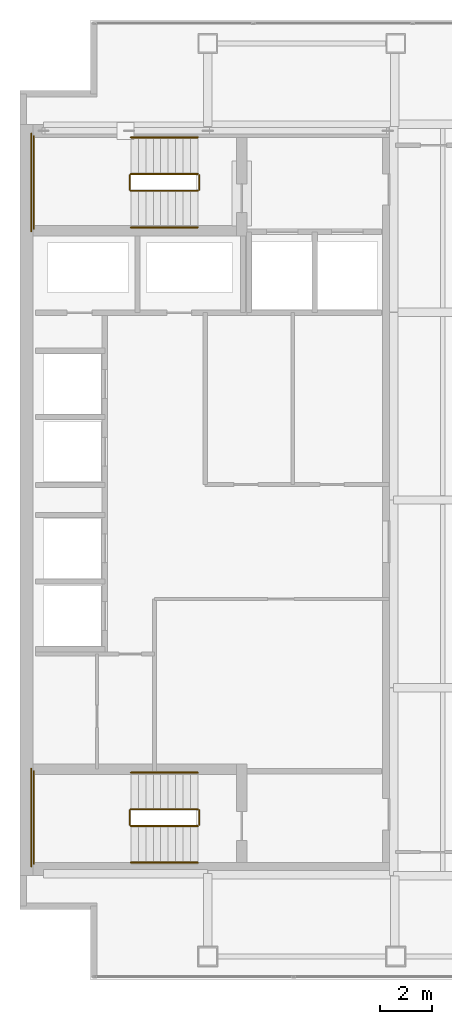
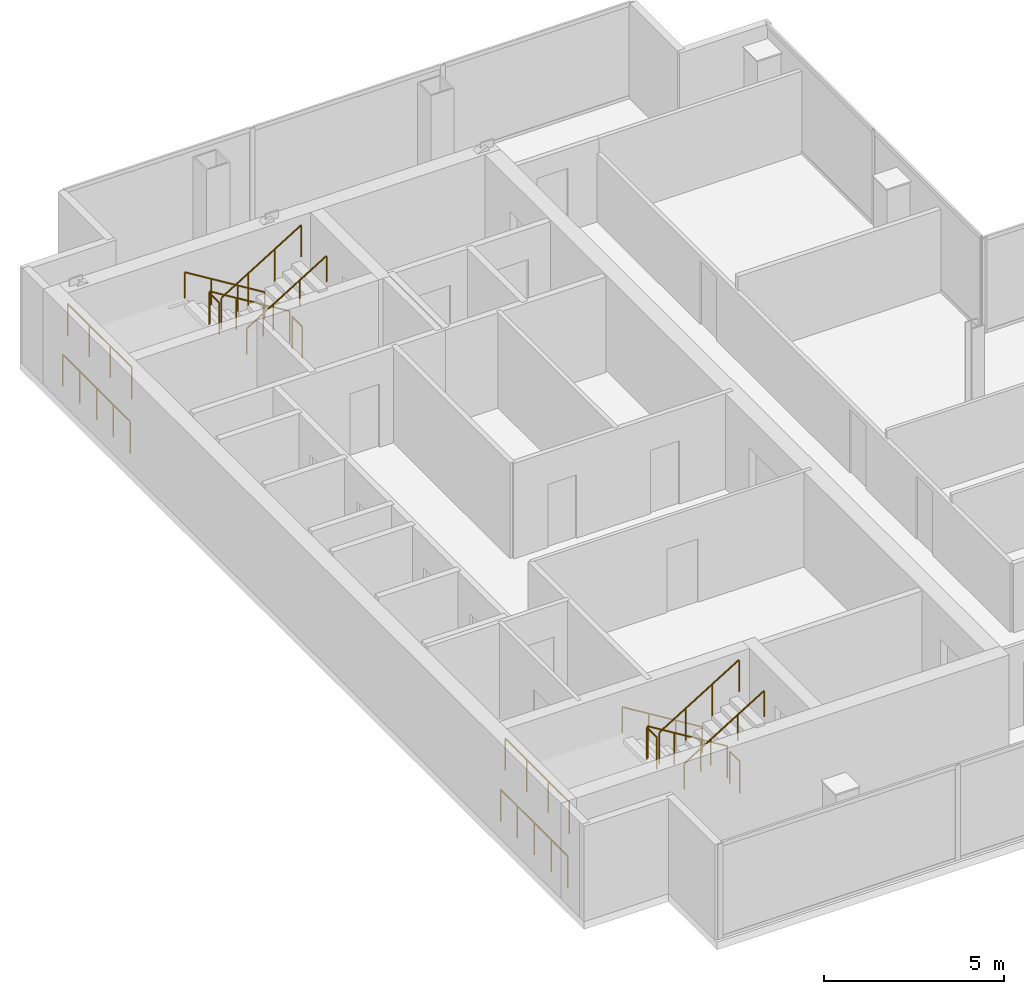
# One storey, part 23 of 23: 16 railings.
"""IFC4 building model written with IfcOpenShell, lengths in metres."""

from ifc_helpers import new_model, si_unit, direction, frame, origin, origin_2d, place, context, subcontext, project, spatial, circle, extrude, material, type_object, element, save


model = new_model("IFC4")

# Units and contexts
model_context = context("Model", 3, precision=1e-05, world=origin(), true_north=direction((0.0, 1.0)))
body_context = subcontext(model_context, "Body", "Model", "MODEL_VIEW")
ifc_project = project(units=[si_unit("LENGTHUNIT", "METRE"), si_unit("AREAUNIT", "SQUARE_METRE"), si_unit("VOLUMEUNIT", "CUBIC_METRE"), si_unit("PLANEANGLEUNIT", "RADIAN"), si_unit("MASSUNIT", "GRAM", prefix="KILO")], contexts=[model_context])

# Site, building, storey
site_placement = place(None, origin())
site = spatial("IfcSite", under=ifc_project, at=site_placement, CompositionType="ELEMENT")
building_placement = place(site_placement, origin())
building = spatial("IfcBuilding", under=site, at=building_placement, Name="Cobrela Telecom Tower", CompositionType="ELEMENT")
storey_placement = place(building_placement, frame((0.0, 0.0, 229.25)))
storey = spatial("IfcBuildingStorey", under=building, at=storey_placement, Name="L59", CompositionType="ELEMENT", Elevation=229.25)

# Railings
ifc_material = material(Name="Steel ASTM A36", Category="steel")
railing_type_1 = type_object("IfcRailingType", Name="RAIL-GUARD-1100", PredefinedType="GUARDRAIL", material=ifc_material)
railing_1_placement = place(storey_placement, frame((6.820068359375, 34.10009765625, 0.175048828125)))
element("IfcRailing", 1, at=railing_1_placement, inside=storey, type_object=railing_type_1, Name="L59 ST1 stair guard 1", PredefinedType="GUARDRAIL", context=body_context, shape_type="SweptSolid", body=[
    extrude(circle(Radius=0.02392578125, at=origin_2d()), frame((0.0, 0.0, 1.076171875), z_axis=(-0.852195335862, 0.0, 0.523223766217), x_axis=(0.0, -1.0, 0.0)), (0.0, 0.0, 1.0), 3.010009765625),
    extrude(circle(Radius=0.02099609375, at=origin_2d()), origin(), (0.0, 0.0, 1.0), 1.052001953125),
    extrude(circle(Radius=0.02099609375, at=origin_2d()), frame((-0.85498046875, 0.0, 0.52490234375)), (0.0, 0.0, 1.0), 1.052001953125),
    extrude(circle(Radius=0.02099609375, at=origin_2d()), frame((-1.710205078125, 0.0, 1.050048828125)), (0.0, 0.0, 1.0), 1.052001953125),
    extrude(circle(Radius=0.02099609375, at=origin_2d()), frame((-2.565185546875, 0.0, 1.574951171875)), (0.0, 0.0, 1.0), 1.052001953125),
])
railing_2_placement = place(storey_placement, frame((4.205078125, 34.050048828125, 1.75)))
element("IfcRailing", 2, at=railing_2_placement, inside=storey, type_object=railing_type_1, Name="L59 ST1 stair guard 2", PredefinedType="GUARDRAIL", context=body_context, shape_type="SweptSolid", body=[
    extrude(circle(Radius=0.02392578125, at=origin_2d()), frame((0.0, 0.0, 1.076171875), z_axis=(0.0, -1.0, 0.0), x_axis=(1.0, 0.0, 0.0)), (0.0, 0.0, 1.0), 0.550048828125),
    extrude(circle(Radius=0.02099609375, at=origin_2d()), origin(), (0.0, 0.0, 1.0), 1.052001953125),
    extrude(circle(Radius=0.02099609375, at=origin_2d()), frame((0.0, -0.550048828125, 0.0)), (0.0, 0.0, 1.0), 1.052001953125),
])
railing_3_placement = place(storey_placement, frame((0.530029296875, 35.550048828125, 1.75)))
element("IfcRailing", 3, at=railing_3_placement, inside=storey, type_object=railing_type_1, Name="L59 ST1 stair guard 3", PredefinedType="GUARDRAIL", context=body_context, shape_type="SweptSolid", body=[
    extrude(circle(Radius=0.02392578125, at=origin_2d()), frame((0.0, 0.0, 1.076171875), z_axis=(0.0, -1.0, 0.0), x_axis=(1.0, 0.0, 0.0)), (0.0, 0.0, 1.0), 3.550048828125),
    extrude(circle(Radius=0.02099609375, at=origin_2d()), origin(), (0.0, 0.0, 1.0), 1.052001953125),
    extrude(circle(Radius=0.02099609375, at=origin_2d()), frame((0.0, -1.183349609375, 0.0)), (0.0, 0.0, 1.0), 1.052001953125),
    extrude(circle(Radius=0.02099609375, at=origin_2d()), frame((0.0, -2.36669921875, 0.0)), (0.0, 0.0, 1.0), 1.052001953125),
    extrude(circle(Radius=0.02099609375, at=origin_2d()), frame((0.0, -3.550048828125, 0.0)), (0.0, 0.0, 1.0), 1.052001953125),
])
railing_4_placement = place(storey_placement, frame((4.2548828125, 33.449951171875, 1.925048828125)))
element("IfcRailing", 4, at=railing_4_placement, inside=storey, type_object=railing_type_1, Name="L59 ST1 stair guard 4", PredefinedType="GUARDRAIL", context=body_context, shape_type="SweptSolid", body=[
    extrude(circle(Radius=0.02392578125, at=origin_2d()), frame((0.0, 0.0, 1.076171875), z_axis=(0.852195335862, 0.0, 0.523223766217), x_axis=(0.0, 1.0, 0.0)), (0.0, 0.0, 1.0), 3.010009765625),
    extrude(circle(Radius=0.02099609375, at=origin_2d()), origin(), (0.0, 0.0, 1.0), 1.052001953125),
    extrude(circle(Radius=0.02099609375, at=origin_2d()), frame((0.85498046875, 0.0, 0.52490234375)), (0.0, 0.0, 1.0), 1.052001953125),
    extrude(circle(Radius=0.02099609375, at=origin_2d()), frame((1.710205078125, 0.0, 1.050048828125)), (0.0, 0.0, 1.0), 1.052001953125),
    extrude(circle(Radius=0.02099609375, at=origin_2d()), frame((2.565185546875, 0.0, 1.574951171875)), (0.0, 0.0, 1.0), 1.052001953125),
])
railing_5_placement = place(storey_placement, frame((6.8701171875, 34.050048828125, 0.0)))
element("IfcRailing", 5, at=railing_5_placement, inside=storey, type_object=railing_type_1, Name="L59 ST1 stair guard 5", PredefinedType="GUARDRAIL", context=body_context, shape_type="SweptSolid", body=[
    extrude(circle(Radius=0.02392578125, at=origin_2d()), frame((0.0, 0.0, 1.076171875), z_axis=(0.0, -1.0, 0.0), x_axis=(1.0, 0.0, 0.0)), (0.0, 0.0, 1.0), 0.550048828125),
    extrude(circle(Radius=0.02099609375, at=origin_2d()), origin(), (0.0, 0.0, 1.0), 1.052001953125),
    extrude(circle(Radius=0.02099609375, at=origin_2d()), frame((0.0, -0.550048828125, 0.0)), (0.0, 0.0, 1.0), 1.052001953125),
])
railing_6_placement = place(storey_placement, frame((0.429931640625, 35.64990234375, 0.0)))
element("IfcRailing", 6, at=railing_6_placement, inside=storey, type_object=railing_type_1, Name="L59 ST1 stair guard 6", PredefinedType="GUARDRAIL", context=body_context, shape_type="SweptSolid", body=[
    extrude(circle(Radius=0.02392578125, at=origin_2d()), frame((0.0, 0.0, 1.076171875), z_axis=(0.0, -1.0, 0.0), x_axis=(1.0, 0.0, 0.0)), (0.0, 0.0, 1.0), 3.75),
    extrude(circle(Radius=0.02099609375, at=origin_2d()), origin(), (0.0, 0.0, 1.0), 1.052001953125),
    extrude(circle(Radius=0.02099609375, at=origin_2d()), frame((0.0, -0.9375, 0.0)), (0.0, 0.0, 1.0), 1.052001953125),
    extrude(circle(Radius=0.02099609375, at=origin_2d()), frame((0.0, -1.875, 0.0)), (0.0, 0.0, 1.0), 1.052001953125),
    extrude(circle(Radius=0.02099609375, at=origin_2d()), frame((0.0, -2.8125, 0.0)), (0.0, 0.0, 1.0), 1.052001953125),
    extrude(circle(Radius=0.02099609375, at=origin_2d()), frame((0.0, -3.75, 0.0)), (0.0, 0.0, 1.0), 1.052001953125),
])
railing_7_placement = place(storey_placement, frame((6.820068359375, 9.75, 0.175048828125)))
element("IfcRailing", 7, at=railing_7_placement, inside=storey, type_object=railing_type_1, Name="L59 ST2 stair guard 1", PredefinedType="GUARDRAIL", context=body_context, shape_type="SweptSolid", body=[
    extrude(circle(Radius=0.02392578125, at=origin_2d()), frame((0.0, 0.0, 1.076171875), z_axis=(-0.852195335862, 0.0, 0.523223766217), x_axis=(0.0, -1.0, 0.0)), (0.0, 0.0, 1.0), 3.010009765625),
    extrude(circle(Radius=0.02099609375, at=origin_2d()), origin(), (0.0, 0.0, 1.0), 1.052001953125),
    extrude(circle(Radius=0.02099609375, at=origin_2d()), frame((-0.85498046875, 0.0, 0.52490234375)), (0.0, 0.0, 1.0), 1.052001953125),
    extrude(circle(Radius=0.02099609375, at=origin_2d()), frame((-1.710205078125, 0.0, 1.050048828125)), (0.0, 0.0, 1.0), 1.052001953125),
    extrude(circle(Radius=0.02099609375, at=origin_2d()), frame((-2.565185546875, 0.0, 1.574951171875)), (0.0, 0.0, 1.0), 1.052001953125),
])
railing_8_placement = place(storey_placement, frame((4.205078125, 9.699951171875, 1.75)))
element("IfcRailing", 8, at=railing_8_placement, inside=storey, type_object=railing_type_1, Name="L59 ST2 stair guard 2", PredefinedType="GUARDRAIL", context=body_context, shape_type="SweptSolid", body=[
    extrude(circle(Radius=0.02392578125, at=origin_2d()), frame((0.0, 0.0, 1.076171875), z_axis=(0.0, -1.0, 0.0), x_axis=(1.0, 0.0, 0.0)), (0.0, 0.0, 1.0), 0.550048828125),
    extrude(circle(Radius=0.02099609375, at=origin_2d()), origin(), (0.0, 0.0, 1.0), 1.052001953125),
    extrude(circle(Radius=0.02099609375, at=origin_2d()), frame((0.0, -0.550048828125, 0.0)), (0.0, 0.0, 1.0), 1.052001953125),
])
railing_9_placement = place(storey_placement, frame((0.530029296875, 11.199951171875, 1.75)))
element("IfcRailing", 9, at=railing_9_placement, inside=storey, type_object=railing_type_1, Name="L59 ST2 stair guard 3", PredefinedType="GUARDRAIL", context=body_context, shape_type="SweptSolid", body=[
    extrude(circle(Radius=0.02392578125, at=origin_2d()), frame((0.0, 0.0, 1.076171875), z_axis=(0.0, -1.0, 0.0), x_axis=(1.0, 0.0, 0.0)), (0.0, 0.0, 1.0), 3.550048828125),
    extrude(circle(Radius=0.02099609375, at=origin_2d()), origin(), (0.0, 0.0, 1.0), 1.052001953125),
    extrude(circle(Radius=0.02099609375, at=origin_2d()), frame((0.0, -1.183349609375, 0.0)), (0.0, 0.0, 1.0), 1.052001953125),
    extrude(circle(Radius=0.02099609375, at=origin_2d()), frame((0.0, -2.36669921875, 0.0)), (0.0, 0.0, 1.0), 1.052001953125),
    extrude(circle(Radius=0.02099609375, at=origin_2d()), frame((0.0, -3.550048828125, 0.0)), (0.0, 0.0, 1.0), 1.052001953125),
])
railing_10_placement = place(storey_placement, frame((4.2548828125, 9.10009765625, 1.925048828125)))
element("IfcRailing", 10, at=railing_10_placement, inside=storey, type_object=railing_type_1, Name="L59 ST2 stair guard 4", PredefinedType="GUARDRAIL", context=body_context, shape_type="SweptSolid", body=[
    extrude(circle(Radius=0.02392578125, at=origin_2d()), frame((0.0, 0.0, 1.076171875), z_axis=(0.852195335862, 0.0, 0.523223766217), x_axis=(0.0, 1.0, 0.0)), (0.0, 0.0, 1.0), 3.010009765625),
    extrude(circle(Radius=0.02099609375, at=origin_2d()), origin(), (0.0, 0.0, 1.0), 1.052001953125),
    extrude(circle(Radius=0.02099609375, at=origin_2d()), frame((0.85498046875, 0.0, 0.52490234375)), (0.0, 0.0, 1.0), 1.052001953125),
    extrude(circle(Radius=0.02099609375, at=origin_2d()), frame((1.710205078125, 0.0, 1.050048828125)), (0.0, 0.0, 1.0), 1.052001953125),
    extrude(circle(Radius=0.02099609375, at=origin_2d()), frame((2.565185546875, 0.0, 1.574951171875)), (0.0, 0.0, 1.0), 1.052001953125),
])
railing_11_placement = place(storey_placement, frame((6.8701171875, 9.699951171875, 0.0)))
element("IfcRailing", 11, at=railing_11_placement, inside=storey, type_object=railing_type_1, Name="L59 ST2 stair guard 5", PredefinedType="GUARDRAIL", context=body_context, shape_type="SweptSolid", body=[
    extrude(circle(Radius=0.02392578125, at=origin_2d()), frame((0.0, 0.0, 1.076171875), z_axis=(0.0, -1.0, 0.0), x_axis=(1.0, 0.0, 0.0)), (0.0, 0.0, 1.0), 0.550048828125),
    extrude(circle(Radius=0.02099609375, at=origin_2d()), origin(), (0.0, 0.0, 1.0), 1.052001953125),
    extrude(circle(Radius=0.02099609375, at=origin_2d()), frame((0.0, -0.550048828125, 0.0)), (0.0, 0.0, 1.0), 1.052001953125),
])
railing_12_placement = place(storey_placement, frame((0.429931640625, 11.300048828125, 0.0)))
element("IfcRailing", 12, at=railing_12_placement, inside=storey, type_object=railing_type_1, Name="L59 ST2 stair guard 6", PredefinedType="GUARDRAIL", context=body_context, shape_type="SweptSolid", body=[
    extrude(circle(Radius=0.02392578125, at=origin_2d()), frame((0.0, 0.0, 1.076171875), z_axis=(0.0, -1.0, 0.0), x_axis=(1.0, 0.0, 0.0)), (0.0, 0.0, 1.0), 3.75),
    extrude(circle(Radius=0.02099609375, at=origin_2d()), origin(), (0.0, 0.0, 1.0), 1.052001953125),
    extrude(circle(Radius=0.02099609375, at=origin_2d()), frame((0.0, -0.9375, 0.0)), (0.0, 0.0, 1.0), 1.052001953125),
    extrude(circle(Radius=0.02099609375, at=origin_2d()), frame((0.0, -1.875, 0.0)), (0.0, 0.0, 1.0), 1.052001953125),
    extrude(circle(Radius=0.02099609375, at=origin_2d()), frame((0.0, -2.8125, 0.0)), (0.0, 0.0, 1.0), 1.052001953125),
    extrude(circle(Radius=0.02099609375, at=origin_2d()), frame((0.0, -3.75, 0.0)), (0.0, 0.0, 1.0), 1.052001953125),
])
railing_type_2 = type_object("IfcRailingType", Name="RAIL-HAND-920", PredefinedType="HANDRAIL", material=ifc_material)
railing_13_placement = place(storey_placement, frame((6.820068359375, 35.5, 0.175048828125)))
element("IfcRailing", 13, at=railing_13_placement, inside=storey, type_object=railing_type_2, Name="L59 ST1 stair handrail 1", PredefinedType="HANDRAIL", context=body_context, shape_type="SweptSolid", body=[
    extrude(circle(Radius=0.02392578125, at=origin_2d()), frame((0.0, 0.0, 0.8759765625), z_axis=(-0.852195335862, 0.0, 0.523223766217), x_axis=(0.0, -1.0, 0.0)), (0.0, 0.0, 1.0), 3.010009765625),
    extrude(circle(Radius=0.02099609375, at=origin_2d()), origin(), (0.0, 0.0, 1.0), 0.851806640625),
    extrude(circle(Radius=0.02099609375, at=origin_2d()), frame((-0.85498046875, 0.0, 0.52490234375)), (0.0, 0.0, 1.0), 0.851806640625),
    extrude(circle(Radius=0.02099609375, at=origin_2d()), frame((-1.710205078125, 0.0, 1.050048828125)), (0.0, 0.0, 1.0), 0.851806640625),
    extrude(circle(Radius=0.02099609375, at=origin_2d()), frame((-2.565185546875, 0.0, 1.574951171875)), (0.0, 0.0, 1.0), 0.851806640625),
])
railing_14_placement = place(storey_placement, frame((4.2548828125, 32.050048828125, 1.925048828125)))
element("IfcRailing", 14, at=railing_14_placement, inside=storey, type_object=railing_type_2, Name="L59 ST1 stair handrail 2", PredefinedType="HANDRAIL", context=body_context, shape_type="SweptSolid", body=[
    extrude(circle(Radius=0.02392578125, at=origin_2d()), frame((0.0, 0.0, 0.8759765625), z_axis=(0.852195335862, 0.0, 0.523223766217), x_axis=(0.0, 1.0, 0.0)), (0.0, 0.0, 1.0), 3.010009765625),
    extrude(circle(Radius=0.02099609375, at=origin_2d()), origin(), (0.0, 0.0, 1.0), 0.851806640625),
    extrude(circle(Radius=0.02099609375, at=origin_2d()), frame((0.85498046875, 0.0, 0.52490234375)), (0.0, 0.0, 1.0), 0.851806640625),
    extrude(circle(Radius=0.02099609375, at=origin_2d()), frame((1.710205078125, 0.0, 1.050048828125)), (0.0, 0.0, 1.0), 0.851806640625),
    extrude(circle(Radius=0.02099609375, at=origin_2d()), frame((2.565185546875, 0.0, 1.574951171875)), (0.0, 0.0, 1.0), 0.851806640625),
])
railing_15_placement = place(storey_placement, frame((6.820068359375, 11.14990234375, 0.175048828125)))
element("IfcRailing", 15, at=railing_15_placement, inside=storey, type_object=railing_type_2, Name="L59 ST2 stair handrail 1", PredefinedType="HANDRAIL", context=body_context, shape_type="SweptSolid", body=[
    extrude(circle(Radius=0.02392578125, at=origin_2d()), frame((0.0, 0.0, 0.8759765625), z_axis=(-0.852195335862, 0.0, 0.523223766217), x_axis=(0.0, -1.0, 0.0)), (0.0, 0.0, 1.0), 3.010009765625),
    extrude(circle(Radius=0.02099609375, at=origin_2d()), origin(), (0.0, 0.0, 1.0), 0.851806640625),
    extrude(circle(Radius=0.02099609375, at=origin_2d()), frame((-0.85498046875, 0.0, 0.52490234375)), (0.0, 0.0, 1.0), 0.851806640625),
    extrude(circle(Radius=0.02099609375, at=origin_2d()), frame((-1.710205078125, 0.0, 1.050048828125)), (0.0, 0.0, 1.0), 0.851806640625),
    extrude(circle(Radius=0.02099609375, at=origin_2d()), frame((-2.565185546875, 0.0, 1.574951171875)), (0.0, 0.0, 1.0), 0.851806640625),
])
railing_16_placement = place(storey_placement, frame((4.2548828125, 7.699951171875, 1.925048828125)))
element("IfcRailing", 16, at=railing_16_placement, inside=storey, type_object=railing_type_2, Name="L59 ST2 stair handrail 2", PredefinedType="HANDRAIL", context=body_context, shape_type="SweptSolid", body=[
    extrude(circle(Radius=0.02392578125, at=origin_2d()), frame((0.0, 0.0, 0.8759765625), z_axis=(0.852195335862, 0.0, 0.523223766217), x_axis=(0.0, 1.0, 0.0)), (0.0, 0.0, 1.0), 3.010009765625),
    extrude(circle(Radius=0.02099609375, at=origin_2d()), origin(), (0.0, 0.0, 1.0), 0.851806640625),
    extrude(circle(Radius=0.02099609375, at=origin_2d()), frame((0.85498046875, 0.0, 0.52490234375)), (0.0, 0.0, 1.0), 0.851806640625),
    extrude(circle(Radius=0.02099609375, at=origin_2d()), frame((1.710205078125, 0.0, 1.050048828125)), (0.0, 0.0, 1.0), 0.851806640625),
    extrude(circle(Radius=0.02099609375, at=origin_2d()), frame((2.565185546875, 0.0, 1.574951171875)), (0.0, 0.0, 1.0), 0.851806640625),
])

save(model, "model.ifc")
